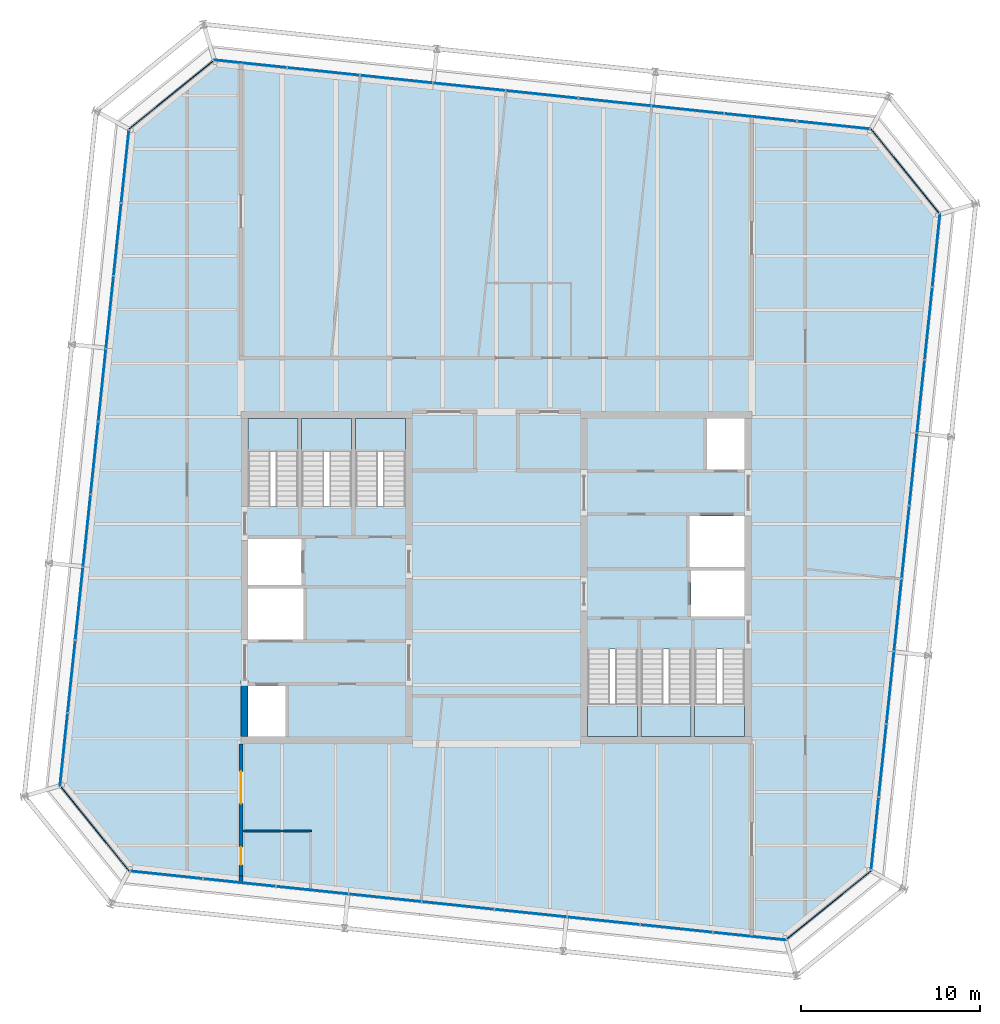
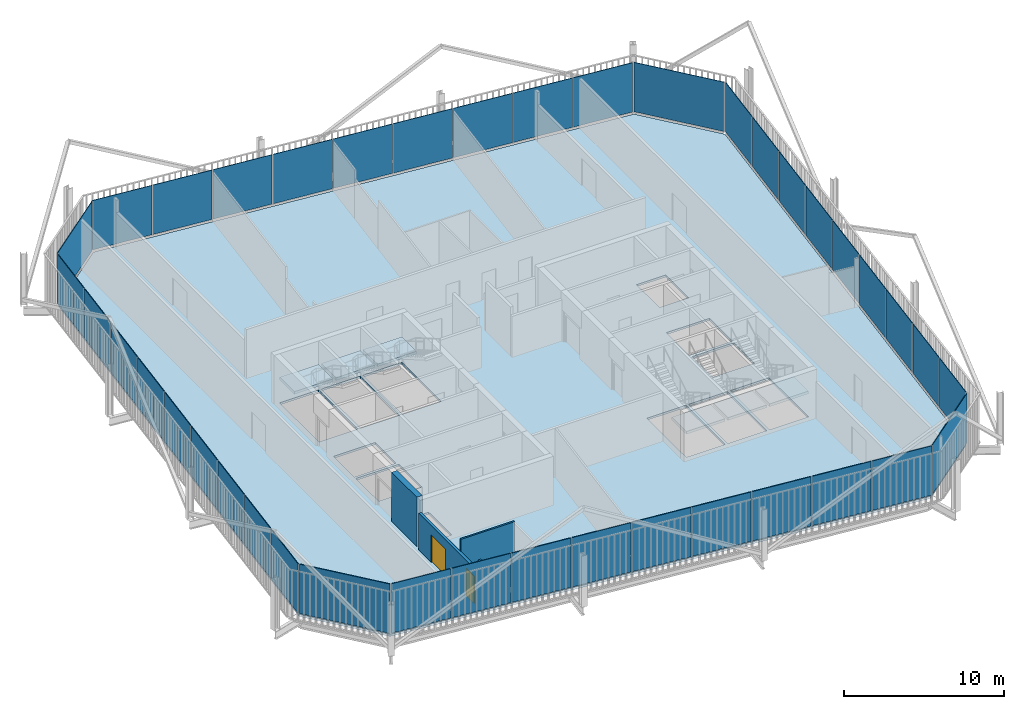
# One storey, part 16 of 21: 40 plates, 7 slabs, 4 walls, 2 doors, 2 openings, 14 elements without a shape of their own.
"""IFC4 building model written with IfcOpenShell, lengths in metres."""

from ifc_helpers import new_model, si_unit, direction, frame, frame_2d, origin, place, context, subcontext, project, spatial, polyline, rectangle, outline, extrude, material, layer, layer_set, type_object, element, fill, aggregate, save


model = new_model("IFC4")

# Units and contexts
model_context = context("Model", 3, precision=1e-05, world=origin(), true_north=direction((0.0, 1.0)))
body_context = subcontext(model_context, "Body", "Model", "MODEL_VIEW")
ifc_project = project(units=[si_unit("LENGTHUNIT", "METRE"), si_unit("AREAUNIT", "SQUARE_METRE"), si_unit("VOLUMEUNIT", "CUBIC_METRE"), si_unit("PLANEANGLEUNIT", "RADIAN"), si_unit("MASSUNIT", "GRAM", prefix="KILO")], contexts=[model_context])

# Site, building, storey
site_placement = place(None, origin())
site = spatial("IfcSite", under=ifc_project, at=site_placement, CompositionType="ELEMENT")
building_placement = place(site_placement, origin())
building = spatial("IfcBuilding", under=site, at=building_placement, Name="Millrace Tower", CompositionType="ELEMENT")
storey_placement = place(building_placement, frame((0.0, 0.0, 283.800048828125)))
storey = spatial("IfcBuildingStorey", under=building, at=storey_placement, Name="L65", CompositionType="ELEMENT", Elevation=283.800048828125)

# Curtain wall, plate
ifc_material_1 = material(Name="Aluminium and glass", Category="aluminium")
ifc_layer_1 = layer(ifc_material_1, 0.14990234375)
ifc_layer_set_1 = layer_set([ifc_layer_1], Name="Aluminium and glass")
curtain_wall_type = type_object("IfcCurtainWallType", Name="CW-1 office vision curtain wall", PredefinedType="NOTDEFINED", material=ifc_layer_set_1)
placement_1 = place(storey_placement, origin())
curtain_wall_1 = element("IfcCurtainWall", 1, at=placement_1, inside=storey, type_object=curtain_wall_type, Name="Curtain wall E-F01 L65", PredefinedType="NOTDEFINED")
ifc_material_2 = material(Name="Glass", Category="glass")
ifc_layer_2 = layer(ifc_material_2, 0.0439453125)
ifc_layer_set_2 = layer_set([ifc_layer_2], Name="Glass")
plate_type = type_object("IfcPlateType", Name="CW-1 office vision curtain wall triple-glazed vision panel", PredefinedType="CURTAIN_PANEL", material=ifc_layer_set_2)
placement_2 = place(storey_placement, frame((0.0, 0.0, 0.139892578125)))
plate_1 = element("IfcPlate", 2, at=placement_2, type_object=plate_type, Name="CW1 panel E-F01.1", PredefinedType="CURTAIN_PANEL", context=body_context, shape_type="SweptSolid", body=[
    extrude(outline(polyline([(-24.388427734375, -11.732421875), (-20.5771484375, -16.439208984375), (-20.554443359375, -16.397216796875), (-24.354248046875, -11.704833984375), (-24.388427734375, -11.732421875)])), origin(), (0.0, 0.0, 1.0), 3.760009765625),
])
aggregate(curtain_wall_1, [plate_1])

# Curtain wall, plates
curtain_wall_2 = element("IfcCurtainWall", 3, at=placement_1, inside=storey, type_object=curtain_wall_type, Name="Curtain wall E-F02 L65", PredefinedType="NOTDEFINED")
plate_2 = element("IfcPlate", 4, at=placement_2, type_object=plate_type, Name="CW1 panel E-F02.1", PredefinedType="CURTAIN_PANEL", context=body_context, shape_type="SweptSolid", body=[
    extrude(outline(polyline([(-20.472412109375, -16.4501953125), (-16.45947265625, -16.871826171875), (-16.454833984375, -16.828125), (-20.4677734375, -16.40625), (-20.472412109375, -16.4501953125)])), origin(), (0.0, 0.0, 1.0), 3.760009765625),
])
plate_3 = element("IfcPlate", 5, at=placement_2, type_object=plate_type, Name="CW1 panel E-F02.2", PredefinedType="CURTAIN_PANEL", context=body_context, shape_type="SweptSolid", body=[
    extrude(outline(polyline([(-16.39501953125, -16.878662109375), (-12.382080078125, -17.300537109375), (-12.37744140625, -17.256591796875), (-16.390380859375, -16.8349609375), (-16.39501953125, -16.878662109375)])), origin(), (0.0, 0.0, 1.0), 3.760009765625),
])
plate_4 = element("IfcPlate", 6, at=placement_2, type_object=plate_type, Name="CW1 panel E-F02.3", PredefinedType="CURTAIN_PANEL", context=body_context, shape_type="SweptSolid", body=[
    extrude(outline(polyline([(-12.3173828125, -17.30712890625), (-8.304443359375, -17.72900390625), (-8.2998046875, -17.685302734375), (-12.312744140625, -17.263427734375), (-12.3173828125, -17.30712890625)])), origin(), (0.0, 0.0, 1.0), 3.760009765625),
])
plate_5 = element("IfcPlate", 7, at=placement_2, type_object=plate_type, Name="CW1 panel E-F02.4", PredefinedType="CURTAIN_PANEL", context=body_context, shape_type="SweptSolid", body=[
    extrude(outline(polyline([(-8.23974609375, -17.73583984375), (-4.22705078125, -18.157470703125), (-4.222412109375, -18.11376953125), (-8.235107421875, -17.692138671875), (-8.23974609375, -17.73583984375)])), origin(), (0.0, 0.0, 1.0), 3.760009765625),
])
plate_6 = element("IfcPlate", 8, at=placement_2, type_object=plate_type, Name="CW1 panel E-F02.5", PredefinedType="CURTAIN_PANEL", context=body_context, shape_type="SweptSolid", body=[
    extrude(outline(polyline([(-4.162353515625, -18.164306640625), (-0.1494140625, -18.586181640625), (-0.144775390625, -18.54248046875), (-4.15771484375, -18.12060546875), (-4.162353515625, -18.164306640625)])), origin(), (0.0, 0.0, 1.0), 3.760009765625),
])
plate_7 = element("IfcPlate", 9, at=placement_2, type_object=plate_type, Name="CW1 panel E-F02.6", PredefinedType="CURTAIN_PANEL", context=body_context, shape_type="SweptSolid", body=[
    extrude(outline(polyline([(-0.084716796875, -18.593017578125), (3.92822265625, -19.0146484375), (3.932861328125, -18.970947265625), (-0.080078125, -18.549072265625), (-0.084716796875, -18.593017578125)])), origin(), (0.0, 0.0, 1.0), 3.760009765625),
])
plate_8 = element("IfcPlate", 10, at=placement_2, type_object=plate_type, Name="CW1 panel E-F02.7", PredefinedType="CURTAIN_PANEL", context=body_context, shape_type="SweptSolid", body=[
    extrude(outline(polyline([(3.99267578125, -19.021484375), (8.005615234375, -19.443359375), (8.01025390625, -19.3994140625), (3.997314453125, -18.977783203125), (3.99267578125, -19.021484375)])), origin(), (0.0, 0.0, 1.0), 3.760009765625),
])
plate_9 = element("IfcPlate", 11, at=placement_2, type_object=plate_type, Name="CW1 panel E-F02.8", PredefinedType="CURTAIN_PANEL", context=body_context, shape_type="SweptSolid", body=[
    extrude(outline(polyline([(8.0703125, -19.449951171875), (12.083251953125, -19.871826171875), (12.087890625, -19.828125), (8.074951171875, -19.40625), (8.0703125, -19.449951171875)])), origin(), (0.0, 0.0, 1.0), 3.760009765625),
])
plate_10 = element("IfcPlate", 12, at=placement_2, type_object=plate_type, Name="CW1 panel E-F02.9", PredefinedType="CURTAIN_PANEL", context=body_context, shape_type="SweptSolid", body=[
    extrude(outline(polyline([(12.14794921875, -19.878662109375), (16.20068359375, -20.3046875), (16.187255859375, -20.259033203125), (12.152587890625, -19.8349609375), (12.14794921875, -19.878662109375)])), origin(), (0.0, 0.0, 1.0), 3.760009765625),
])
aggregate(curtain_wall_2, [plate_2, plate_3, plate_4, plate_5, plate_6, plate_7, plate_8, plate_9, plate_10])

# Curtain wall, plate
curtain_wall_3 = element("IfcCurtainWall", 13, at=placement_1, inside=storey, type_object=curtain_wall_type, Name="Curtain wall E-F03 L65", PredefinedType="NOTDEFINED")
plate_11 = element("IfcPlate", 14, at=placement_2, type_object=plate_type, Name="CW1 panel E-F03.1", PredefinedType="CURTAIN_PANEL", context=body_context, shape_type="SweptSolid", body=[
    extrude(outline(polyline([(16.282470703125, -20.23828125), (20.989013671875, -16.427001953125), (20.947265625, -16.404296875), (16.2548828125, -20.2041015625), (16.282470703125, -20.23828125)])), origin(), (0.0, 0.0, 1.0), 3.760009765625),
])
aggregate(curtain_wall_3, [plate_11])

# Curtain wall, plates
curtain_wall_4 = element("IfcCurtainWall", 15, at=placement_1, inside=storey, type_object=curtain_wall_type, Name="Curtain wall E-F04 L65", PredefinedType="NOTDEFINED")
plate_12 = element("IfcPlate", 16, at=placement_2, type_object=plate_type, Name="CW1 panel E-F04.1", PredefinedType="CURTAIN_PANEL", context=body_context, shape_type="SweptSolid", body=[
    extrude(outline(polyline([(21.0, -16.322509765625), (21.421875, -12.3095703125), (21.378173828125, -12.304931640625), (20.956298828125, -16.31787109375), (21.0, -16.322509765625)])), origin(), (0.0, 0.0, 1.0), 3.760009765625),
])
plate_13 = element("IfcPlate", 17, at=placement_2, type_object=plate_type, Name="CW1 panel E-F04.2", PredefinedType="CURTAIN_PANEL", context=body_context, shape_type="SweptSolid", body=[
    extrude(outline(polyline([(21.4287109375, -12.244873046875), (21.850341796875, -8.23193359375), (21.806640625, -8.227294921875), (21.385009765625, -12.240234375), (21.4287109375, -12.244873046875)])), origin(), (0.0, 0.0, 1.0), 3.760009765625),
])
plate_14 = element("IfcPlate", 18, at=placement_2, type_object=plate_type, Name="CW1 panel E-F04.3", PredefinedType="CURTAIN_PANEL", context=body_context, shape_type="SweptSolid", body=[
    extrude(outline(polyline([(21.857177734375, -8.16748046875), (22.279052734375, -4.154541015625), (22.2353515625, -4.14990234375), (21.8134765625, -8.162841796875), (21.857177734375, -8.16748046875)])), origin(), (0.0, 0.0, 1.0), 3.760009765625),
])
plate_15 = element("IfcPlate", 19, at=placement_2, type_object=plate_type, Name="CW1 panel E-F04.4", PredefinedType="CURTAIN_PANEL", context=body_context, shape_type="SweptSolid", body=[
    extrude(outline(polyline([(22.285888671875, -4.08984375), (22.70751953125, -0.076904296875), (22.663818359375, -0.072265625), (22.241943359375, -4.085205078125), (22.285888671875, -4.08984375)])), origin(), (0.0, 0.0, 1.0), 3.760009765625),
])
plate_16 = element("IfcPlate", 20, at=placement_2, type_object=plate_type, Name="CW1 panel E-F04.5", PredefinedType="CURTAIN_PANEL", context=body_context, shape_type="SweptSolid", body=[
    extrude(outline(polyline([(22.71435546875, -0.01220703125), (23.13623046875, 4.00048828125), (23.09228515625, 4.005126953125), (22.670654296875, -0.007568359375), (22.71435546875, -0.01220703125)])), origin(), (0.0, 0.0, 1.0), 3.760009765625),
])
plate_17 = element("IfcPlate", 21, at=placement_2, type_object=plate_type, Name="CW1 panel E-F04.6", PredefinedType="CURTAIN_PANEL", context=body_context, shape_type="SweptSolid", body=[
    extrude(outline(polyline([(23.142822265625, 4.065185546875), (23.564697265625, 8.078125), (23.52099609375, 8.082763671875), (23.09912109375, 4.06982421875), (23.142822265625, 4.065185546875)])), origin(), (0.0, 0.0, 1.0), 3.760009765625),
])
plate_18 = element("IfcPlate", 22, at=placement_2, type_object=plate_type, Name="CW1 panel E-F04.7", PredefinedType="CURTAIN_PANEL", context=body_context, shape_type="SweptSolid", body=[
    extrude(outline(polyline([(23.571533203125, 8.142822265625), (23.9931640625, 12.15576171875), (23.949462890625, 12.160400390625), (23.52783203125, 8.1474609375), (23.571533203125, 8.142822265625)])), origin(), (0.0, 0.0, 1.0), 3.760009765625),
])
plate_19 = element("IfcPlate", 23, at=placement_2, type_object=plate_type, Name="CW1 panel E-F04.8", PredefinedType="CURTAIN_PANEL", context=body_context, shape_type="SweptSolid", body=[
    extrude(outline(polyline([(24.0, 12.22021484375), (24.421875, 16.233154296875), (24.378173828125, 16.23779296875), (23.956298828125, 12.224853515625), (24.0, 12.22021484375)])), origin(), (0.0, 0.0, 1.0), 3.760009765625),
])
plate_20 = element("IfcPlate", 24, at=placement_2, type_object=plate_type, Name="CW1 panel E-F04.9", PredefinedType="CURTAIN_PANEL", context=body_context, shape_type="SweptSolid", body=[
    extrude(outline(polyline([(24.4287109375, 16.2978515625), (24.8544921875, 20.350830078125), (24.808837890625, 20.337158203125), (24.384765625, 16.302490234375), (24.4287109375, 16.2978515625)])), origin(), (0.0, 0.0, 1.0), 3.760009765625),
])
aggregate(curtain_wall_4, [plate_12, plate_13, plate_14, plate_15, plate_16, plate_17, plate_18, plate_19, plate_20])

# Curtain wall, plate
curtain_wall_5 = element("IfcCurtainWall", 25, at=placement_1, inside=storey, type_object=curtain_wall_type, Name="Curtain wall E-F05 L65", PredefinedType="NOTDEFINED")
plate_21 = element("IfcPlate", 26, at=placement_2, type_object=plate_type, Name="CW1 panel E-F05.1", PredefinedType="CURTAIN_PANEL", context=body_context, shape_type="SweptSolid", body=[
    extrude(outline(polyline([(24.788330078125, 20.432373046875), (20.97705078125, 25.13916015625), (20.954345703125, 25.09716796875), (24.754150390625, 20.40478515625), (24.788330078125, 20.432373046875)])), origin(), (0.0, 0.0, 1.0), 3.760009765625),
])
aggregate(curtain_wall_5, [plate_21])

# Curtain wall, plates
curtain_wall_6 = element("IfcCurtainWall", 27, at=placement_1, inside=storey, type_object=curtain_wall_type, Name="Curtain wall E-F06 L65", PredefinedType="NOTDEFINED")
plate_22 = element("IfcPlate", 28, at=placement_2, type_object=plate_type, Name="CW1 panel E-F06.1", PredefinedType="CURTAIN_PANEL", context=body_context, shape_type="SweptSolid", body=[
    extrude(outline(polyline([(20.87255859375, 25.150146484375), (16.859619140625, 25.57177734375), (16.85498046875, 25.528076171875), (20.867919921875, 25.1064453125), (20.87255859375, 25.150146484375)])), origin(), (0.0, 0.0, 1.0), 3.760009765625),
])
plate_23 = element("IfcPlate", 29, at=placement_2, type_object=plate_type, Name="CW1 panel E-F06.2", PredefinedType="CURTAIN_PANEL", context=body_context, shape_type="SweptSolid", body=[
    extrude(outline(polyline([(16.794921875, 25.57861328125), (12.781982421875, 26.00048828125), (12.77734375, 25.956787109375), (16.790283203125, 25.534912109375), (16.794921875, 25.57861328125)])), origin(), (0.0, 0.0, 1.0), 3.760009765625),
])
plate_24 = element("IfcPlate", 30, at=placement_2, type_object=plate_type, Name="CW1 panel E-F06.3", PredefinedType="CURTAIN_PANEL", context=body_context, shape_type="SweptSolid", body=[
    extrude(outline(polyline([(12.71728515625, 26.00732421875), (8.70458984375, 26.428955078125), (8.699951171875, 26.38525390625), (12.712646484375, 25.96337890625), (12.71728515625, 26.00732421875)])), origin(), (0.0, 0.0, 1.0), 3.760009765625),
])
plate_25 = element("IfcPlate", 31, at=placement_2, type_object=plate_type, Name="CW1 panel E-F06.4", PredefinedType="CURTAIN_PANEL", context=body_context, shape_type="SweptSolid", body=[
    extrude(outline(polyline([(8.639892578125, 26.435791015625), (4.626953125, 26.857666015625), (4.622314453125, 26.813720703125), (8.63525390625, 26.39208984375), (8.639892578125, 26.435791015625)])), origin(), (0.0, 0.0, 1.0), 3.760009765625),
])
plate_26 = element("IfcPlate", 32, at=placement_2, type_object=plate_type, Name="CW1 panel E-F06.5", PredefinedType="CURTAIN_PANEL", context=body_context, shape_type="SweptSolid", body=[
    extrude(outline(polyline([(4.562255859375, 26.8642578125), (0.54931640625, 27.2861328125), (0.544677734375, 27.242431640625), (4.5576171875, 26.820556640625), (4.562255859375, 26.8642578125)])), origin(), (0.0, 0.0, 1.0), 3.760009765625),
])
plate_27 = element("IfcPlate", 33, at=placement_2, type_object=plate_type, Name="CW1 panel E-F06.6", PredefinedType="CURTAIN_PANEL", context=body_context, shape_type="SweptSolid", body=[
    extrude(outline(polyline([(0.48486328125, 27.29296875), (-3.528076171875, 27.714599609375), (-3.53271484375, 27.6708984375), (0.480224609375, 27.249267578125), (0.48486328125, 27.29296875)])), origin(), (0.0, 0.0, 1.0), 3.760009765625),
])
plate_28 = element("IfcPlate", 34, at=placement_2, type_object=plate_type, Name="CW1 panel E-F06.7", PredefinedType="CURTAIN_PANEL", context=body_context, shape_type="SweptSolid", body=[
    extrude(outline(polyline([(-3.5927734375, 27.721435546875), (-7.605712890625, 28.143310546875), (-7.6103515625, 28.099609375), (-3.597412109375, 27.677734375), (-3.5927734375, 27.721435546875)])), origin(), (0.0, 0.0, 1.0), 3.760009765625),
])
plate_29 = element("IfcPlate", 35, at=placement_2, type_object=plate_type, Name="CW1 panel E-F06.8", PredefinedType="CURTAIN_PANEL", context=body_context, shape_type="SweptSolid", body=[
    extrude(outline(polyline([(-7.67041015625, 28.150146484375), (-11.68310546875, 28.57177734375), (-11.687744140625, 28.528076171875), (-7.675048828125, 28.106201171875), (-7.67041015625, 28.150146484375)])), origin(), (0.0, 0.0, 1.0), 3.760009765625),
])
plate_30 = element("IfcPlate", 36, at=placement_2, type_object=plate_type, Name="CW1 panel E-F06.9", PredefinedType="CURTAIN_PANEL", context=body_context, shape_type="SweptSolid", body=[
    extrude(outline(polyline([(-11.747802734375, 28.57861328125), (-15.80078125, 29.004638671875), (-15.787109375, 28.958984375), (-11.75244140625, 28.534912109375), (-11.747802734375, 28.57861328125)])), origin(), (0.0, 0.0, 1.0), 3.760009765625),
])
aggregate(curtain_wall_6, [plate_22, plate_23, plate_24, plate_25, plate_26, plate_27, plate_28, plate_29, plate_30])

# Curtain wall, plate
curtain_wall_7 = element("IfcCurtainWall", 37, at=placement_1, inside=storey, type_object=curtain_wall_type, Name="Curtain wall E-F07 L65", PredefinedType="NOTDEFINED")
plate_31 = element("IfcPlate", 38, at=placement_2, type_object=plate_type, Name="CW1 panel E-F07.1", PredefinedType="CURTAIN_PANEL", context=body_context, shape_type="SweptSolid", body=[
    extrude(outline(polyline([(-15.882568359375, 28.9384765625), (-20.589111328125, 25.126953125), (-20.547119140625, 25.104248046875), (-15.854736328125, 28.904296875), (-15.882568359375, 28.9384765625)])), origin(), (0.0, 0.0, 1.0), 3.760009765625),
])
aggregate(curtain_wall_7, [plate_31])

# Curtain wall, plates
curtain_wall_8 = element("IfcCurtainWall", 39, at=placement_1, inside=storey, type_object=curtain_wall_type, Name="Curtain wall E-F08 L65", PredefinedType="NOTDEFINED")
plate_32 = element("IfcPlate", 40, at=placement_2, type_object=plate_type, Name="CW1 panel E-F08.1", PredefinedType="CURTAIN_PANEL", context=body_context, shape_type="SweptSolid", body=[
    extrude(outline(polyline([(-20.60009765625, 25.0224609375), (-21.02197265625, 21.009521484375), (-20.97802734375, 21.0048828125), (-20.556396484375, 25.017822265625), (-20.60009765625, 25.0224609375)])), origin(), (0.0, 0.0, 1.0), 3.760009765625),
])
plate_33 = element("IfcPlate", 41, at=placement_2, type_object=plate_type, Name="CW1 panel E-F08.2", PredefinedType="CURTAIN_PANEL", context=body_context, shape_type="SweptSolid", body=[
    extrude(outline(polyline([(-21.028564453125, 20.94482421875), (-21.450439453125, 16.93212890625), (-21.40673828125, 16.927490234375), (-20.98486328125, 20.9404296875), (-21.028564453125, 20.94482421875)])), origin(), (0.0, 0.0, 1.0), 3.760009765625),
])
plate_34 = element("IfcPlate", 42, at=placement_2, type_object=plate_type, Name="CW1 panel E-F08.3", PredefinedType="CURTAIN_PANEL", context=body_context, shape_type="SweptSolid", body=[
    extrude(outline(polyline([(-21.457275390625, 16.867431640625), (-21.87890625, 12.8544921875), (-21.835205078125, 12.849853515625), (-21.41357421875, 16.86279296875), (-21.457275390625, 16.867431640625)])), origin(), (0.0, 0.0, 1.0), 3.760009765625),
])
plate_35 = element("IfcPlate", 43, at=placement_2, type_object=plate_type, Name="CW1 panel E-F08.4", PredefinedType="CURTAIN_PANEL", context=body_context, shape_type="SweptSolid", body=[
    extrude(outline(polyline([(-21.8857421875, 12.789794921875), (-22.3076171875, 8.77685546875), (-22.263916015625, 8.772216796875), (-21.842041015625, 12.78515625), (-21.8857421875, 12.789794921875)])), origin(), (0.0, 0.0, 1.0), 3.760009765625),
])
plate_36 = element("IfcPlate", 44, at=placement_2, type_object=plate_type, Name="CW1 panel E-F08.5", PredefinedType="CURTAIN_PANEL", context=body_context, shape_type="SweptSolid", body=[
    extrude(outline(polyline([(-22.314453125, 8.71240234375), (-22.736083984375, 4.699462890625), (-22.6923828125, 4.69482421875), (-22.2705078125, 8.707763671875), (-22.314453125, 8.71240234375)])), origin(), (0.0, 0.0, 1.0), 3.760009765625),
])
plate_37 = element("IfcPlate", 45, at=placement_2, type_object=plate_type, Name="CW1 panel E-F08.6", PredefinedType="CURTAIN_PANEL", context=body_context, shape_type="SweptSolid", body=[
    extrude(outline(polyline([(-22.742919921875, 4.634765625), (-23.164794921875, 0.621826171875), (-23.120849609375, 0.6171875), (-22.69921875, 4.630126953125), (-22.742919921875, 4.634765625)])), origin(), (0.0, 0.0, 1.0), 3.760009765625),
])
plate_38 = element("IfcPlate", 46, at=placement_2, type_object=plate_type, Name="CW1 panel E-F08.7", PredefinedType="CURTAIN_PANEL", context=body_context, shape_type="SweptSolid", body=[
    extrude(outline(polyline([(-23.17138671875, 0.55712890625), (-23.59326171875, -3.45556640625), (-23.549560546875, -3.460205078125), (-23.127685546875, 0.552490234375), (-23.17138671875, 0.55712890625)])), origin(), (0.0, 0.0, 1.0), 3.760009765625),
])
plate_39 = element("IfcPlate", 47, at=placement_2, type_object=plate_type, Name="CW1 panel E-F08.8", PredefinedType="CURTAIN_PANEL", context=body_context, shape_type="SweptSolid", body=[
    extrude(outline(polyline([(-23.60009765625, -3.520263671875), (-24.021728515625, -7.533203125), (-23.97802734375, -7.537841796875), (-23.556396484375, -3.52490234375), (-23.60009765625, -3.520263671875)])), origin(), (0.0, 0.0, 1.0), 3.760009765625),
])
plate_40 = element("IfcPlate", 48, at=placement_2, type_object=plate_type, Name="CW1 panel E-F08.9", PredefinedType="CURTAIN_PANEL", context=body_context, shape_type="SweptSolid", body=[
    extrude(outline(polyline([(-24.028564453125, -7.597900390625), (-24.45458984375, -11.650634765625), (-24.408935546875, -11.63720703125), (-23.98486328125, -7.6025390625), (-24.028564453125, -7.597900390625)])), origin(), (0.0, 0.0, 1.0), 3.760009765625),
])
aggregate(curtain_wall_8, [plate_32, plate_33, plate_34, plate_35, plate_36, plate_37, plate_38, plate_39, plate_40])

# Slab
ifc_material_3 = material(Name="Concrete C35 on steel deck", Category="concrete")
ifc_layer_3 = layer(ifc_material_3, 0.159912109375)
ifc_layer_set_3 = layer_set([ifc_layer_3], Name="Concrete C35 on steel deck")
slab_type_1 = type_object("IfcSlabType", Name="Composite floor slab 160 mm", PredefinedType="FLOOR", material=ifc_layer_set_3)
slab_1_placement = place(storey_placement, frame((0.0, 0.0, -0.16015625)))
element("IfcSlab", 49, at=slab_1_placement, inside=storey, type_object=slab_type_1, Name="SL-E-L65-S1", PredefinedType="FLOOR", context=body_context, shape_type="SweptSolid", body=[
    extrude(outline(polyline([(-24.35400390625, -11.620849609375), (-20.52685546875, -16.346923828125), (16.1708984375, -20.203857421875), (20.896728515625, -16.376953125), (24.75390625, 20.32080078125), (20.927001953125, 25.046875), (-15.77099609375, 28.90380859375), (-20.496826171875, 25.076904296875), (-24.35400390625, -11.620849609375)]), holes=[polyline([(-13.89990234375, -8.89990234375), (-11.800048828125, -8.89990234375), (-11.800048828125, -6.050048828125), (-13.89990234375, -6.050048828125), (-13.89990234375, -8.89990234375)]), polyline([(-13.89990234375, -3.449951171875), (-10.800048828125, -3.449951171875), (-10.800048828125, -0.60009765625), (-13.89990234375, -0.60009765625), (-13.89990234375, -3.449951171875)]), polyline([(-13.89990234375, -0.39990234375), (-10.89990234375, -0.39990234375), (-10.89990234375, 2.179931640625), (-13.89990234375, 2.179931640625), (-13.89990234375, -0.39990234375)]), polyline([(-13.89990234375, 4.0), (-11.10009765625, 4.0), (-11.10009765625, 8.89990234375), (-13.89990234375, 8.89990234375), (-13.89990234375, 4.0)]), polyline([(-10.89990234375, 4.0), (-8.10009765625, 4.0), (-8.10009765625, 8.89990234375), (-10.89990234375, 8.89990234375), (-10.89990234375, 4.0)]), polyline([(-7.89990234375, 4.0), (-5.10009765625, 4.0), (-5.10009765625, 8.89990234375), (-7.89990234375, 8.89990234375), (-7.89990234375, 4.0)]), polyline([(11.800048828125, 6.050048828125), (13.89990234375, 6.050048828125), (13.89990234375, 8.89990234375), (11.800048828125, 8.89990234375), (11.800048828125, 6.050048828125)]), polyline([(10.800048828125, 0.60009765625), (13.89990234375, 0.60009765625), (13.89990234375, 3.449951171875), (10.800048828125, 3.449951171875), (10.800048828125, 0.60009765625)]), polyline([(10.89990234375, -2.179931640625), (13.89990234375, -2.179931640625), (13.89990234375, 0.39990234375), (10.89990234375, 0.39990234375), (10.89990234375, -2.179931640625)]), polyline([(11.10009765625, -8.89990234375), (13.89990234375, -8.89990234375), (13.89990234375, -4.0), (11.10009765625, -4.0), (11.10009765625, -8.89990234375)]), polyline([(8.10009765625, -8.89990234375), (10.89990234375, -8.89990234375), (10.89990234375, -4.0), (8.10009765625, -4.0), (8.10009765625, -8.89990234375)]), polyline([(5.10009765625, -8.89990234375), (7.89990234375, -8.89990234375), (7.89990234375, -4.0), (5.10009765625, -4.0), (5.10009765625, -8.89990234375)])]), origin(), (0.0, 0.0, 1.0), 0.16015625),
])

# Stair, slab
ifc_material_4 = material(Name="Concrete C35", Category="concrete")
stair_type = type_object("IfcStairType", Name="Exit stair", PredefinedType="HALF_TURN_STAIR", material=ifc_material_4)
stair_1 = element("IfcStair", 50, at=placement_1, inside=storey, type_object=stair_type, Name="Stair 1 W L65", PredefinedType="HALF_TURN_STAIR")
ifc_material_5 = material(Name="Concrete C40", Category="concrete")
ifc_layer_4 = layer(ifc_material_5, 0.199951171875)
ifc_layer_set_4 = layer_set([ifc_layer_4], Name="Concrete C40")
slab_type_2 = type_object("IfcSlabType", Name="Stair landing", PredefinedType="LANDING", material=ifc_layer_set_4)
placement_3 = place(storey_placement, frame((0.0, 0.0, 1.75)))
slab_2 = element("IfcSlab", 51, at=placement_3, type_object=slab_type_2, Name="ST12 landing 1", PredefinedType="LANDING", context=body_context, shape_type="SweptSolid", body=[
    extrude(outline(polyline([(-13.89990234375, 7.080078125), (-11.10009765625, 7.080078125), (-11.10009765625, 8.89990234375), (-13.89990234375, 8.89990234375), (-13.89990234375, 7.080078125)])), origin(), (0.0, 0.0, 1.0), 0.199951171875),
])
aggregate(stair_1, [slab_2])

stair_2 = element("IfcStair", 52, at=placement_1, inside=storey, type_object=stair_type, Name="Stair 2 W L65", PredefinedType="HALF_TURN_STAIR")
slab_3 = element("IfcSlab", 53, at=placement_3, type_object=slab_type_2, Name="ST12 landing 1", PredefinedType="LANDING", context=body_context, shape_type="SweptSolid", body=[
    extrude(outline(polyline([(-10.89990234375, 7.080078125), (-8.10009765625, 7.080078125), (-8.10009765625, 8.89990234375), (-10.89990234375, 8.89990234375), (-10.89990234375, 7.080078125)])), origin(), (0.0, 0.0, 1.0), 0.199951171875),
])
aggregate(stair_2, [slab_3])

stair_3 = element("IfcStair", 54, at=placement_1, inside=storey, type_object=stair_type, Name="Stair 3 W L65", PredefinedType="HALF_TURN_STAIR")
slab_4 = element("IfcSlab", 55, at=placement_3, type_object=slab_type_2, Name="ST12 landing 1", PredefinedType="LANDING", context=body_context, shape_type="SweptSolid", body=[
    extrude(outline(polyline([(-7.89990234375, 7.080078125), (-5.10009765625, 7.080078125), (-5.10009765625, 8.89990234375), (-7.89990234375, 8.89990234375), (-7.89990234375, 7.080078125)])), origin(), (0.0, 0.0, 1.0), 0.199951171875),
])
aggregate(stair_3, [slab_4])

stair_4 = element("IfcStair", 56, at=placement_1, inside=storey, type_object=stair_type, Name="Stair 1 E L65", PredefinedType="HALF_TURN_STAIR")
slab_5 = element("IfcSlab", 57, at=placement_3, type_object=slab_type_2, Name="ST12 landing 1", PredefinedType="LANDING", context=body_context, shape_type="SweptSolid", body=[
    extrude(outline(polyline([(11.10009765625, -8.89990234375), (13.89990234375, -8.89990234375), (13.89990234375, -7.080078125), (11.10009765625, -7.080078125), (11.10009765625, -8.89990234375)])), origin(), (0.0, 0.0, 1.0), 0.199951171875),
])
aggregate(stair_4, [slab_5])

stair_5 = element("IfcStair", 58, at=placement_1, inside=storey, type_object=stair_type, Name="Stair 2 E L65", PredefinedType="HALF_TURN_STAIR")
slab_6 = element("IfcSlab", 59, at=placement_3, type_object=slab_type_2, Name="ST12 landing 1", PredefinedType="LANDING", context=body_context, shape_type="SweptSolid", body=[
    extrude(outline(polyline([(8.10009765625, -8.89990234375), (10.89990234375, -8.89990234375), (10.89990234375, -7.080078125), (8.10009765625, -7.080078125), (8.10009765625, -8.89990234375)])), origin(), (0.0, 0.0, 1.0), 0.199951171875),
])
aggregate(stair_5, [slab_6])

stair_6 = element("IfcStair", 60, at=placement_1, inside=storey, type_object=stair_type, Name="Stair 3 E L65", PredefinedType="HALF_TURN_STAIR")
slab_7 = element("IfcSlab", 61, at=placement_3, type_object=slab_type_2, Name="ST12 landing 1", PredefinedType="LANDING", context=body_context, shape_type="SweptSolid", body=[
    extrude(outline(polyline([(5.10009765625, -8.89990234375), (7.89990234375, -8.89990234375), (7.89990234375, -7.080078125), (5.10009765625, -7.080078125), (5.10009765625, -8.89990234375)])), origin(), (0.0, 0.0, 1.0), 0.199951171875),
])
aggregate(stair_6, [slab_7])

# Walls
ifc_material_6 = material(Name="Concrete C60", Category="concrete")
ifc_layer_5 = layer(ifc_material_6, 0.39990234375)
ifc_layer_set_5 = layer_set([ifc_layer_5], Name="Concrete C60")
wall_type_1 = type_object("IfcWallType", Name="Core wall 400 Concrete C60", PredefinedType="SHEAR", material=ifc_layer_set_5)
wall_1_placement = place(storey_placement, frame((-14.10009765625, -8.89990234375, 0.0), z_axis=(0.0, 0.0, 1.0), x_axis=(0.0, 1.0, 0.0)))
element("IfcWall", 62, at=wall_1_placement, inside=storey, type_object=wall_type_1, Name="Core wall W L65", PredefinedType="SHEAR", context=body_context, shape_type="SweptSolid", body=[
    extrude(rectangle(XDim=3.14990234375, YDim=0.39990234375, at=frame_2d((1.574951171875, 0.0))), origin(), (0.0, 0.0, 1.0), 3.739990234375),
])
ifc_material_7 = material(Name="Masonry partition, fire-rated", Category="masonry")
ifc_layer_6 = layer(ifc_material_7, 0.199951171875)
ifc_layer_set_6 = layer_set([ifc_layer_6], Name="Masonry partition, fire-rated")
wall_type_2 = type_object("IfcWallType", Name="Corridor wall 200", PredefinedType="PARTITIONING", material=ifc_layer_set_6)
wall_2_placement = place(storey_placement, frame((-14.300048828125, -17.031494140625, 0.0), z_axis=(0.0, 0.0, 1.0), x_axis=(0.0, 1.0, 0.0)))
element("IfcWall", 63, at=wall_2_placement, inside=storey, type_object=wall_type_2, Name="Corridor wall L65", PredefinedType="PARTITIONING", context=body_context, shape_type="SweptSolid", body=[
    extrude(rectangle(XDim=0.339111328125, YDim=0.199951171875, at=frame_2d((0.16943359375, 0.0))), origin(), (0.0, 0.0, 1.0), 3.739990234375),
])

# Wall, openings, doors
wall_3_placement = place(storey_placement, frame((-14.300048828125, -16.6923828125, 0.0), z_axis=(0.0, 0.0, 1.0), x_axis=(0.0, 1.0, 0.0)))
wall_3 = element("IfcWall", 64, at=wall_3_placement, inside=storey, type_object=wall_type_2, Name="Corridor wall L65", PredefinedType="PARTITIONING", context=body_context, shape_type="SweptSolid", body=[
    extrude(rectangle(XDim=7.392333984375, YDim=0.199951171875, at=frame_2d((3.6962890625, 0.0))), origin(), (0.0, 0.0, 1.0), 2.812744140625),
])
opening_1_placement = place(wall_3_placement, frame((4.0517578125, 0.0, 0.0)))
opening_1 = element("IfcOpeningElement", 65, at=opening_1_placement, cuts=wall_3, Name="Opening 65-P012", PredefinedType="OPENING", context=body_context, shape_type="SweptSolid", body=[
    extrude(rectangle(XDim=1.800048828125, YDim=2.10009765625, at=frame_2d((0.89990234375, 1.050048828125))), frame((0.0, 0.10986328125, 0.0), z_axis=(0.0, -1.0, 0.0), x_axis=(1.0, 0.0, 0.0)), (0.0, 0.0, 1.0), 0.219970703125),
])
opening_2_placement = place(wall_3_placement, frame((0.611328125, 0.0, 0.0)))
opening_2 = element("IfcOpeningElement", 66, at=opening_2_placement, cuts=wall_3, Name="Opening 65-P013", PredefinedType="OPENING", context=body_context, shape_type="SweptSolid", body=[
    extrude(rectangle(XDim=1.0, YDim=2.10009765625, at=frame_2d((0.5, 1.050048828125))), frame((0.0, 0.10986328125, 0.0), z_axis=(0.0, -1.0, 0.0), x_axis=(1.0, 0.0, 0.0)), (0.0, 0.0, 1.0), 0.219970703125),
])
ifc_material_8 = material(Name="Steel door set, fire-rated", Category="steel")
door_type_1 = type_object("IfcDoorType", Name="Corridor door 1000 x 2100", OperationType="SINGLE_SWING_LEFT", PredefinedType="DOOR", material=ifc_material_8)
door_1_placement = place(opening_2_placement, frame((1.0, 0.0, 0.0), z_axis=(0.0, 0.0, 1.0), x_axis=(-1.0, 0.0, 0.0)))
door_1 = element("IfcDoor", 67, at=door_1_placement, inside=storey, type_object=door_type_1, Name="Door 65-P013", OperationType="SINGLE_SWING_RIGHT", OverallHeight=2.10009765625, OverallWidth=1.0, PredefinedType="DOOR", context=body_context, shape_type="SweptSolid", body=[
    extrude(rectangle(XDim=1.0, YDim=2.10009765625, at=frame_2d((0.5, 1.050048828125))), frame((0.0, 0.02490234375, 0.0), z_axis=(0.0, -1.0, 0.0), x_axis=(1.0, 0.0, 0.0)), (0.0, 0.0, 1.0), 0.050048828125),
])
fill(opening_2, door_1)
ifc_material_9 = material(Name="Steel door set, fire-rated", Category="steel")
door_type_2 = type_object("IfcDoorType", Name="Corridor door 1800 x 2100", OperationType="DOUBLE_DOOR_SINGLE_SWING", PredefinedType="DOOR", material=ifc_material_9)
door_2_placement = place(opening_1_placement, frame((1.800048828125, 0.0, 0.0), z_axis=(0.0, 0.0, 1.0), x_axis=(-1.0, 0.0, 0.0)))
door_2 = element("IfcDoor", 68, at=door_2_placement, inside=storey, type_object=door_type_2, Name="Door 65-P012", OperationType="DOUBLE_DOOR_SINGLE_SWING", OverallHeight=2.10009765625, OverallWidth=1.800048828125, PredefinedType="DOOR", context=body_context, shape_type="SweptSolid", body=[
    extrude(rectangle(XDim=1.800048828125, YDim=2.10009765625, at=frame_2d((0.89990234375, 1.050048828125))), frame((0.0, 0.02490234375, 0.0), z_axis=(0.0, -1.0, 0.0), x_axis=(1.0, 0.0, 0.0)), (0.0, 0.0, 1.0), 0.050048828125),
])
fill(opening_1, door_2)

# Wall
ifc_material_10 = material(Name="Gypsum board partition")
ifc_layer_7 = layer(ifc_material_10, 0.1201171875)
ifc_layer_set_7 = layer_set([ifc_layer_7], Name="Gypsum board partition")
wall_type_3 = type_object("IfcWallType", Name="Partition wall 120", PredefinedType="PARTITIONING", material=ifc_layer_set_7)
wall_4_placement = place(storey_placement, frame((-14.199951171875, -14.180908203125, 0.0), z_axis=(0.0, 0.0, 1.0), x_axis=(1.0, 0.0, 0.0)))
element("IfcWall", 69, at=wall_4_placement, inside=storey, type_object=wall_type_3, Name="Partition wall L65", PredefinedType="PARTITIONING", context=body_context, shape_type="SweptSolid", body=[
    extrude(rectangle(XDim=3.85986328125, YDim=0.1201171875, at=frame_2d((1.929931640625, 0.0))), origin(), (0.0, 0.0, 1.0), 3.739990234375),
])

save(model, "model.ifc")
